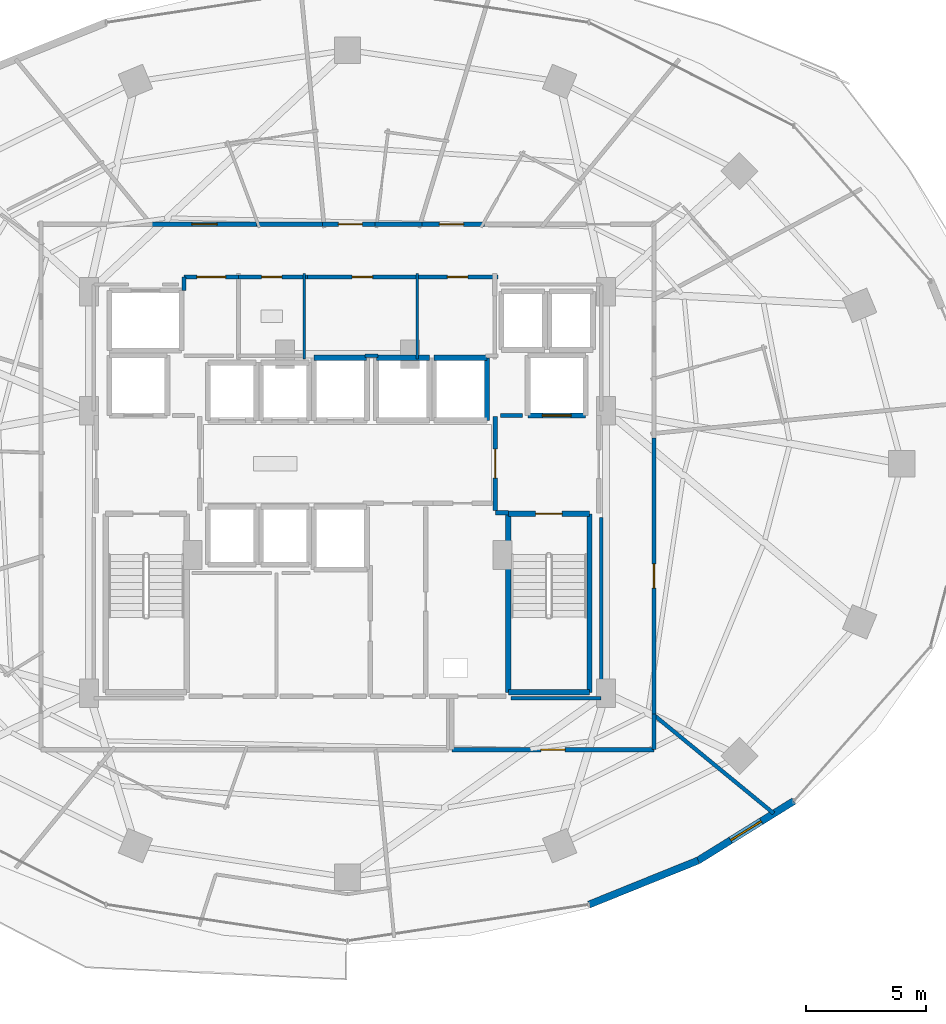
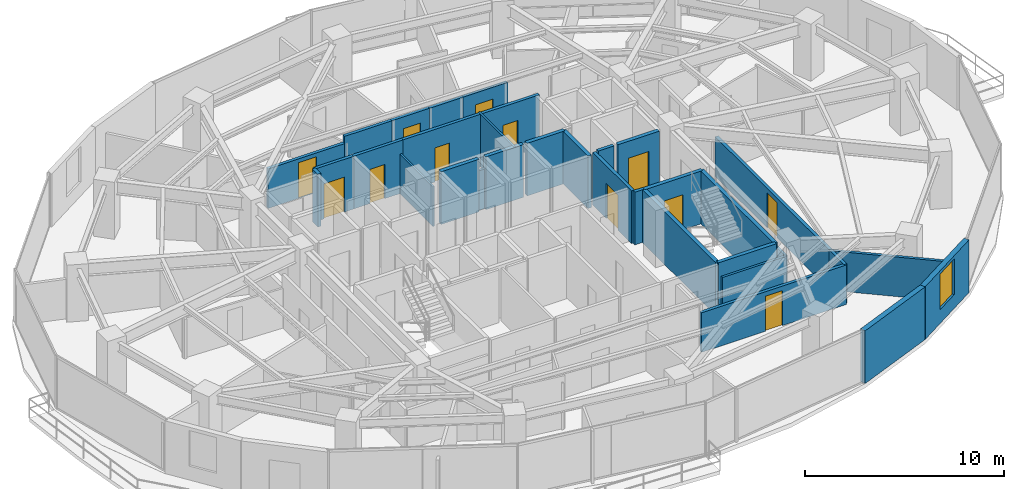
# One storey, part 24 of 29: 33 walls, 12 doors, 1 window, 13 openings.
"""IFC4 building model written with IfcOpenShell, lengths in metres."""

from ifc_helpers import new_model, si_unit, direction, frame, frame_2d, origin, place, context, subcontext, project, spatial, rectangle, extrude, material, layer, layer_set, type_object, element, fill, save


model = new_model("IFC4")

# Units and contexts
model_context = context("Model", 3, precision=1e-05, world=origin(), true_north=direction((0.0, 1.0)))
body_context = subcontext(model_context, "Body", "Model", "MODEL_VIEW")
ifc_project = project(units=[si_unit("LENGTHUNIT", "METRE"), si_unit("AREAUNIT", "SQUARE_METRE"), si_unit("VOLUMEUNIT", "CUBIC_METRE"), si_unit("PLANEANGLEUNIT", "RADIAN"), si_unit("MASSUNIT", "GRAM", prefix="KILO")], contexts=[model_context])

# Site, building, storey
site_placement = place(None, origin())
site = spatial("IfcSite", under=ifc_project, at=site_placement, CompositionType="ELEMENT")
building_placement = place(site_placement, origin())
building = spatial("IfcBuilding", under=site, at=building_placement, Name="Vorneva Point Tower", CompositionType="ELEMENT")
storey_placement = place(building_placement, frame((0.0, 0.0, 117.300048828125)))
storey = spatial("IfcBuildingStorey", under=building, at=storey_placement, Name="L31", CompositionType="ELEMENT", Elevation=117.300048828125)

# Wall, opening, door
ifc_material_1 = material(Name="Concrete B60 (C50/60)", Category="concrete")
ifc_layer_1 = layer(ifc_material_1, 0.5)
ifc_layer_set_1 = layer_set([ifc_layer_1], Name="Concrete B60 (C50/60)")
wall_type_1 = type_object("IfcWallType", Name="WL-CORE-500", PredefinedType="SHEAR", material=ifc_layer_set_1)
wall_1_placement = place(storey_placement, frame((45.5, 28.0, 0.0), z_axis=(0.0, 0.0, 1.0), x_axis=(1.0, 0.0, 0.0)))
wall_1 = element("IfcWall", 1, at=wall_1_placement, inside=storey, type_object=wall_type_1, Name="L31 Lift FFL2 Shaft Wall -Y", PredefinedType="SHEAR", context=body_context, shape_type="SweptSolid", body=[
    extrude(rectangle(XDim=2.39990234375, YDim=0.219970703125, at=frame_2d((1.199951171875, 0.0))), origin(), (0.0, 0.0, 1.0), 3.239990234375),
])
opening_1_placement = place(wall_1_placement, frame((0.60009765625, 0.0, 0.0)))
opening_1 = element("IfcOpeningElement", 2, at=opening_1_placement, cuts=wall_1, Name="Opening LD-02", PredefinedType="OPENING", context=body_context, shape_type="SweptSolid", body=[
    extrude(rectangle(XDim=1.199951171875, YDim=2.199951171875, at=frame_2d((0.60009765625, 1.10009765625))), frame((0.0, 0.125, 0.0), z_axis=(0.0, -1.0, 0.0), x_axis=(1.0, 0.0, 0.0)), (0.0, 0.0, 1.0), 0.249755859375),
])
ifc_material_2 = material(Name="Brushed stainless steel S304", Category="steel")
door_type_1 = type_object("IfcDoorType", Name="LD-FIRE-1200", OperationType="SLIDING_TO_LEFT", PredefinedType="DOOR", material=ifc_material_2)
door_1_placement = place(opening_1_placement, origin())
door_1 = element("IfcDoor", 3, at=door_1_placement, inside=storey, type_object=door_type_1, Name="L31 Lift FFL2 Sliding Landing Door", OperationType="SLIDING_TO_LEFT", OverallHeight=2.199951171875, OverallWidth=1.199951171875, PredefinedType="DOOR", context=body_context, shape_type="SweptSolid", body=[
    extrude(rectangle(XDim=1.199951171875, YDim=2.199951171875, at=frame_2d((0.60009765625, 1.10009765625))), frame((0.0, 0.02490234375, 0.0), z_axis=(0.0, -1.0, 0.0), x_axis=(1.0, 0.0, 0.0)), (0.0, 0.0, 1.0), 0.050048828125),
])
fill(opening_1, door_1)

# Wall
ifc_material_3 = material(Name="Precast concrete B50 (C40/50)", Category="concrete")
ifc_layer_2 = layer(ifc_material_3, 0.300048828125)
ifc_layer_set_2 = layer_set([ifc_layer_2], Name="Precast concrete B50 (C40/50)")
wall_type_2 = type_object("IfcWallType", Name="WL-EXT-300", PredefinedType="STANDARD", material=ifc_layer_set_2)
wall_2_placement = place(storey_placement, frame((48.04541015625, 7.660888671875, 0.0), z_axis=(0.0, 0.0, 1.0), x_axis=(0.927122233109, 0.374759075775, 0.0)))
element("IfcWall", 4, at=wall_2_placement, inside=storey, type_object=wall_type_2, Name="L31 Pale-Metal Facade Spandrel Wall 14.1", PredefinedType="STANDARD", context=body_context, shape_type="SweptSolid", body=[
    extrude(rectangle(XDim=4.89501953125, YDim=0.300048828125, at=frame_2d((2.447509765625, 0.0))), origin(), (0.0, 0.0, 1.0), 3.239990234375),
])

# Wall, opening, window
wall_3_placement = place(storey_placement, frame((52.583740234375, 9.495361328125, 0.0), z_axis=(0.0, 0.0, 1.0), x_axis=(0.849684479743, 0.527291461038, 0.0)))
wall_3 = element("IfcWall", 5, at=wall_3_placement, inside=storey, type_object=wall_type_2, Name="L31 Pale-Metal Facade Spandrel Wall 14.2", PredefinedType="STANDARD", context=body_context, shape_type="SweptSolid", body=[
    extrude(rectangle(XDim=4.681396484375, YDim=0.300048828125, at=frame_2d((2.3408203125, 0.0))), origin(), (0.0, 0.0, 1.0), 3.239990234375),
])
opening_2_placement = place(wall_3_placement, frame((1.5908203125, 0.0, 0.85009765625)))
opening_2 = element("IfcOpeningElement", 6, at=opening_2_placement, cuts=wall_3, Name="Opening W-02", PredefinedType="OPENING", context=body_context, shape_type="SweptSolid", body=[
    extrude(rectangle(XDim=1.5, YDim=2.18994140625, at=frame_2d((0.75, 1.094970703125))), frame((0.0, 0.1650390625, 0.0), z_axis=(0.0, -1.0, 0.0), x_axis=(1.0, 0.0, 0.0)), (0.0, 0.0, 1.0), 0.329833984375),
])
ifc_material_4 = material(Name="Double low-e laminated glass IGU", Category="glass")
window_type = type_object("IfcWindowType", Name="WN-HTL-1500", PartitioningType="SINGLE_PANEL", PredefinedType="WINDOW", material=ifc_material_4)
window_placement = place(opening_2_placement, origin())
window = element("IfcWindow", 7, at=window_placement, inside=storey, type_object=window_type, Name="L31 Facade Window 14", OverallHeight=2.18994140625, OverallWidth=1.5, PartitioningType="SINGLE_PANEL", PredefinedType="WINDOW", context=body_context, shape_type="SweptSolid", body=[
    extrude(rectangle(XDim=1.5, YDim=2.18994140625, at=frame_2d((0.75, 1.094970703125))), frame((0.0, 0.030029296875, 0.0), z_axis=(0.0, -1.0, 0.0), x_axis=(1.0, 0.0, 0.0)), (0.0, 0.0, 1.0), 0.06005859375),
])
fill(opening_2, window)

# Walls
ifc_material_5 = material(Name="Fire-rated acoustic gypsum stud partition", Category="gypsum")
ifc_layer_3 = layer(ifc_material_5, 0.110107421875)
ifc_layer_set_3 = layer_set([ifc_layer_3], Name="Fire-rated acoustic gypsum stud partition")
wall_type_3 = type_object("IfcWallType", Name="WL-PART-110", PredefinedType="PARTITIONING", material=ifc_layer_set_3)
wall_4_placement = place(storey_placement, frame((36.199951171875, 30.340087890625, 0.0), z_axis=(0.0, 0.0, 1.0), x_axis=(0.0, 1.0, 0.0)))
element("IfcWall", 8, at=wall_4_placement, inside=storey, type_object=wall_type_3, Name="L31 Interior Partition 015", PredefinedType="PARTITIONING", context=body_context, shape_type="SweptSolid", body=[
    extrude(rectangle(XDim=3.559814453125, YDim=0.110107421875, at=frame_2d((1.77978515625, 0.0))), origin(), (0.0, 0.0, 1.0), 2.431884765625),
])
wall_5_placement = place(storey_placement, frame((40.89990234375, 30.340087890625, 0.0), z_axis=(0.0, 0.0, 1.0), x_axis=(0.0, 1.0, 0.0)))
element("IfcWall", 9, at=wall_5_placement, inside=storey, type_object=wall_type_3, Name="L31 Interior Partition 017", PredefinedType="PARTITIONING", context=body_context, shape_type="SweptSolid", body=[
    extrude(rectangle(XDim=3.559814453125, YDim=0.110107421875, at=frame_2d((1.77978515625, 0.0))), origin(), (0.0, 0.0, 1.0), 3.239990234375),
])
ifc_layer_4 = layer(ifc_material_5, 0.139892578125)
ifc_layer_set_4 = layer_set([ifc_layer_4], Name="Fire-rated acoustic gypsum stud partition")
wall_type_4 = type_object("IfcWallType", Name="WL-PART-140", PredefinedType="PARTITIONING", material=ifc_layer_set_4)
wall_6_placement = place(storey_placement, frame((38.735107421875, 30.47998046875, 0.0), z_axis=(0.0, 0.0, 1.0), x_axis=(1.0, 0.0, 0.0)))
element("IfcWall", 10, at=wall_6_placement, inside=storey, type_object=wall_type_4, Name="L31 Interior Closure Partition 094", PredefinedType="PARTITIONING", context=body_context, shape_type="SweptSolid", body=[
    extrude(rectangle(XDim=0.52978515625, YDim=0.139892578125, at=frame_2d((0.264892578125, 0.0))), origin(), (0.0, 0.0, 1.0), 2.431884765625),
])
wall_7_placement = place(storey_placement, frame((48.550048828125, 23.75390625, 0.0), z_axis=(0.0, 0.0, 1.0), x_axis=(0.0, -1.0, 0.0)))
element("IfcWall", 11, at=wall_7_placement, inside=storey, type_object=wall_type_4, Name="L31 Interior Closure Partition 101", PredefinedType="PARTITIONING", context=body_context, shape_type="SweptSolid", body=[
    extrude(rectangle(XDim=7.513916015625, YDim=0.139892578125, at=frame_2d((3.7568359375, 0.0))), origin(), (0.0, 0.0, 1.0), 2.431884765625),
])
wall_8_placement = place(storey_placement, frame((48.550048828125, 16.239990234375, 0.0), z_axis=(0.0, 0.0, 1.0), x_axis=(-1.0, 0.0, 0.0)))
element("IfcWall", 12, at=wall_8_placement, inside=storey, type_object=wall_type_4, Name="L31 Interior Closure Partition 102", PredefinedType="PARTITIONING", context=body_context, shape_type="SweptSolid", body=[
    extrude(rectangle(XDim=3.7451171875, YDim=0.139892578125, at=frame_2d((1.87255859375, 0.0))), origin(), (0.0, 0.0, 1.0), 2.431884765625),
])
ifc_layer_5 = layer(ifc_material_5, 0.159912109375)
ifc_layer_set_5 = layer_set([ifc_layer_5], Name="Fire-rated acoustic gypsum stud partition")
wall_type_5 = type_object("IfcWallType", Name="WL-PART-160", PredefinedType="PARTITIONING", material=ifc_layer_set_5)
wall_9_placement = place(storey_placement, frame((55.72802734375, 11.450927734375, 0.0), z_axis=(0.0, 0.0, 1.0), x_axis=(-0.7730409537, 0.634356117573, 0.0)))
element("IfcWall", 13, at=wall_9_placement, inside=storey, type_object=wall_type_5, Name="L31 Interior Partition 089", PredefinedType="PARTITIONING", context=body_context, shape_type="SweptSolid", body=[
    extrude(rectangle(XDim=6.439453125, YDim=0.159912109375, at=frame_2d((3.2197265625, 0.0))), origin(), (0.0, 0.0, 1.0), 2.431884765625),
])

# Wall, opening, door
ifc_material_6 = material(Name="Autoclaved aerated concrete blockwork", Category="masonry")
ifc_layer_6 = layer(ifc_material_6, 0.179931640625)
ifc_layer_set_6 = layer_set([ifc_layer_6], Name="Autoclaved aerated concrete blockwork")
wall_type_6 = type_object("IfcWallType", Name="WL-PART-180", PredefinedType="PARTITIONING", material=ifc_layer_set_6)
wall_10_placement = place(storey_placement, frame((44.14990234375, 27.955078125, 0.0), z_axis=(0.0, 0.0, 1.0), x_axis=(0.0, -1.0, 0.0)))
wall_10 = element("IfcWall", 14, at=wall_10_placement, inside=storey, type_object=wall_type_6, Name="L31 Interior Partition 003", PredefinedType="PARTITIONING", context=body_context, shape_type="SweptSolid", body=[
    extrude(rectangle(XDim=3.91015625, YDim=0.179931640625, at=frame_2d((1.955078125, 0.0))), origin(), (0.0, 0.0, 1.0), 3.239990234375),
])
opening_3_placement = place(wall_10_placement, frame((1.35498046875, 0.0, 0.0)))
opening_3 = element("IfcOpeningElement", 15, at=opening_3_placement, cuts=wall_10, Name="Opening FD-02", PredefinedType="OPENING", context=body_context, shape_type="SweptSolid", body=[
    extrude(rectangle(XDim=1.199951171875, YDim=2.14990234375, at=frame_2d((0.60009765625, 1.074951171875))), frame((0.0, 0.10498046875, 0.0), z_axis=(0.0, -1.0, 0.0), x_axis=(1.0, 0.0, 0.0)), (0.0, 0.0, 1.0), 0.209716796875),
])
ifc_material_7 = material(Name="Fire-rated powder-coated steel", Category="steel")
door_type_2 = type_object("IfcDoorType", Name="DR-FFL-1200", OperationType="NOTDEFINED", PredefinedType="DOOR", material=ifc_material_7)
door_2_placement = place(opening_3_placement, origin())
door_2 = element("IfcDoor", 16, at=door_2_placement, inside=storey, type_object=door_type_2, Name="L31 Door East Firefighting Lobby / Central Lift Lobby", OperationType="SINGLE_SWING_RIGHT", OverallHeight=2.14990234375, OverallWidth=1.199951171875, PredefinedType="DOOR", context=body_context, shape_type="SweptSolid", body=[
    extrude(rectangle(XDim=1.199951171875, YDim=2.14990234375, at=frame_2d((0.60009765625, 1.074951171875))), frame((0.0, 0.02490234375, 0.0), z_axis=(0.0, -1.0, 0.0), x_axis=(1.0, 0.0, 0.0)), (0.0, 0.0, 1.0), 0.050048828125),
])
fill(opening_3, door_2)

# Wall
wall_11_placement = place(storey_placement, frame((44.14990234375, 23.949951171875, 0.0), z_axis=(0.0, 0.0, 1.0), x_axis=(1.0, 0.0, 0.0)))
element("IfcWall", 17, at=wall_11_placement, inside=storey, type_object=wall_type_6, Name="L31 Interior Partition 004", PredefinedType="PARTITIONING", context=body_context, shape_type="SweptSolid", body=[
    extrude(rectangle(XDim=0.5400390625, YDim=0.179931640625, at=frame_2d((0.27001953125, 0.0))), origin(), (0.0, 0.0, 1.0), 3.239990234375),
])

# Wall, opening, door
wall_12_placement = place(storey_placement, frame((33.469970703125, 33.760009765625, 0.0), z_axis=(0.0, 0.0, 1.0), x_axis=(-1.0, 0.0, 0.0)))
wall_12 = element("IfcWall", 18, at=wall_12_placement, inside=storey, type_object=wall_type_6, Name="L31 Interior Partition 007", PredefinedType="PARTITIONING", context=body_context, shape_type="SweptSolid", body=[
    extrude(rectangle(XDim=2.27001953125, YDim=0.179931640625, at=frame_2d((1.135009765625, 0.0))), origin(), (0.0, 0.0, 1.0), 3.239990234375),
])
opening_4_placement = place(wall_12_placement, frame((0.534912109375, 0.0, 0.0)))
opening_4 = element("IfcOpeningElement", 19, at=opening_4_placement, cuts=wall_12, Name="Opening FD-02", PredefinedType="OPENING", context=body_context, shape_type="SweptSolid", body=[
    extrude(rectangle(XDim=1.199951171875, YDim=2.14990234375, at=frame_2d((0.60009765625, 1.074951171875))), frame((0.0, 0.10498046875, 0.0), z_axis=(0.0, -1.0, 0.0), x_axis=(1.0, 0.0, 0.0)), (0.0, 0.0, 1.0), 0.209716796875),
])
door_3_placement = place(opening_4_placement, origin())
door_3 = element("IfcDoor", 20, at=door_3_placement, inside=storey, type_object=door_type_2, Name="L31 Door Service Lift Lobby / L31 Circulation Corridor", OperationType="SINGLE_SWING_RIGHT", OverallHeight=2.14990234375, OverallWidth=1.199951171875, PredefinedType="DOOR", context=body_context, shape_type="SweptSolid", body=[
    extrude(rectangle(XDim=1.199951171875, YDim=2.14990234375, at=frame_2d((0.60009765625, 1.074951171875))), frame((0.0, 0.02490234375, 0.0), z_axis=(0.0, -1.0, 0.0), x_axis=(1.0, 0.0, 0.0)), (0.0, 0.0, 1.0), 0.050048828125),
])
fill(opening_4, door_3)

# Wall
wall_13_placement = place(storey_placement, frame((31.199951171875, 33.760009765625, 0.0), z_axis=(0.0, 0.0, 1.0), x_axis=(0.0, -1.0, 0.0)))
element("IfcWall", 21, at=wall_13_placement, inside=storey, type_object=wall_type_6, Name="L31 Interior Partition 008", PredefinedType="PARTITIONING", context=body_context, shape_type="SweptSolid", body=[
    extrude(rectangle(XDim=0.56005859375, YDim=0.179931640625, at=frame_2d((0.280029296875, 0.0))), origin(), (0.0, 0.0, 1.0), 3.239990234375),
])

# Wall, opening, door
wall_14_placement = place(storey_placement, frame((36.340087890625, 33.760009765625, 0.0), z_axis=(0.0, 0.0, 1.0), x_axis=(-1.0, 0.0, 0.0)))
wall_14 = element("IfcWall", 22, at=wall_14_placement, inside=storey, type_object=wall_type_6, Name="L31 Interior Partition 016", PredefinedType="PARTITIONING", context=body_context, shape_type="SweptSolid", body=[
    extrude(rectangle(XDim=2.97998046875, YDim=0.179931640625, at=frame_2d((1.489990234375, 0.0))), origin(), (0.0, 0.0, 1.0), 3.239990234375),
])
opening_5_placement = place(wall_14_placement, frame((1.06494140625, 0.0, 0.0)))
opening_5 = element("IfcOpeningElement", 23, at=opening_5_placement, cuts=wall_14, Name="Opening ID-02", PredefinedType="OPENING", context=body_context, shape_type="SweptSolid", body=[
    extrude(rectangle(XDim=0.85009765625, YDim=2.10009765625, at=frame_2d((0.425048828125, 1.050048828125))), frame((0.0, 0.10498046875, 0.0), z_axis=(0.0, -1.0, 0.0), x_axis=(1.0, 0.0, 0.0)), (0.0, 0.0, 1.0), 0.209716796875),
])
ifc_material_8 = material(Name="Engineered oak fire-rated door leaf", Category="wood")
door_type_3 = type_object("IfcDoorType", Name="DR-BATH-850", OperationType="NOTDEFINED", PredefinedType="DOOR", material=ifc_material_8)
door_4_placement = place(opening_5_placement, origin())
door_4 = element("IfcDoor", 24, at=door_4_placement, inside=storey, type_object=door_type_3, Name="L31 Door Public Male WC / L31 Circulation Corridor", OperationType="SINGLE_SWING_LEFT", OverallHeight=2.10009765625, OverallWidth=0.85009765625, PredefinedType="DOOR", context=body_context, shape_type="SweptSolid", body=[
    extrude(rectangle(XDim=0.85009765625, YDim=2.10009765625, at=frame_2d((0.425048828125, 1.050048828125))), frame((0.0, 0.02490234375, 0.0), z_axis=(0.0, -1.0, 0.0), x_axis=(1.0, 0.0, 0.0)), (0.0, 0.0, 1.0), 0.050048828125),
])
fill(opening_5, door_4)

wall_15_placement = place(storey_placement, frame((41.0400390625, 33.760009765625, 0.0), z_axis=(0.0, 0.0, 1.0), x_axis=(-1.0, 0.0, 0.0)))
wall_15 = element("IfcWall", 25, at=wall_15_placement, inside=storey, type_object=wall_type_6, Name="L31 Interior Partition 018", PredefinedType="PARTITIONING", context=body_context, shape_type="SweptSolid", body=[
    extrude(rectangle(XDim=4.840087890625, YDim=0.179931640625, at=frame_2d((2.419921875, 0.0))), origin(), (0.0, 0.0, 1.0), 3.239990234375),
])
opening_6_placement = place(wall_15_placement, frame((1.9951171875, 0.0, 0.0)))
opening_6 = element("IfcOpeningElement", 26, at=opening_6_placement, cuts=wall_15, Name="Opening ID-02", PredefinedType="OPENING", context=body_context, shape_type="SweptSolid", body=[
    extrude(rectangle(XDim=0.85009765625, YDim=2.10009765625, at=frame_2d((0.425048828125, 1.050048828125))), frame((0.0, 0.10498046875, 0.0), z_axis=(0.0, -1.0, 0.0), x_axis=(1.0, 0.0, 0.0)), (0.0, 0.0, 1.0), 0.209716796875),
])
door_5_placement = place(opening_6_placement, origin())
door_5 = element("IfcDoor", 27, at=door_5_placement, inside=storey, type_object=door_type_3, Name="L31 Door Public Female WC / L31 Circulation Corridor", OperationType="SINGLE_SWING_RIGHT", OverallHeight=2.10009765625, OverallWidth=0.85009765625, PredefinedType="DOOR", context=body_context, shape_type="SweptSolid", body=[
    extrude(rectangle(XDim=0.85009765625, YDim=2.10009765625, at=frame_2d((0.425048828125, 1.050048828125))), frame((0.0, 0.02490234375, 0.0), z_axis=(0.0, -1.0, 0.0), x_axis=(1.0, 0.0, 0.0)), (0.0, 0.0, 1.0), 0.050048828125),
])
fill(opening_6, door_5)

wall_16_placement = place(storey_placement, frame((44.260009765625, 33.760009765625, 0.0), z_axis=(0.0, 0.0, 1.0), x_axis=(-1.0, 0.0, 0.0)))
wall_16 = element("IfcWall", 28, at=wall_16_placement, inside=storey, type_object=wall_type_6, Name="L31 Interior Partition 019", PredefinedType="PARTITIONING", context=body_context, shape_type="SweptSolid", body=[
    extrude(rectangle(XDim=3.360107421875, YDim=0.179931640625, at=frame_2d((1.68017578125, 0.0))), origin(), (0.0, 0.0, 1.0), 3.239990234375),
])
opening_7_placement = place(wall_16_placement, frame((1.2548828125, 0.0, 0.0)))
opening_7 = element("IfcOpeningElement", 29, at=opening_7_placement, cuts=wall_16, Name="Opening ID-02", PredefinedType="OPENING", context=body_context, shape_type="SweptSolid", body=[
    extrude(rectangle(XDim=0.85009765625, YDim=2.10009765625, at=frame_2d((0.425048828125, 1.050048828125))), frame((0.0, 0.10498046875, 0.0), z_axis=(0.0, -1.0, 0.0), x_axis=(1.0, 0.0, 0.0)), (0.0, 0.0, 1.0), 0.209716796875),
])
door_6_placement = place(opening_7_placement, origin())
door_6 = element("IfcDoor", 30, at=door_6_placement, inside=storey, type_object=door_type_3, Name="L31 Door Accessible WC / L31 Circulation Corridor", OperationType="SINGLE_SWING_LEFT", OverallHeight=2.10009765625, OverallWidth=0.85009765625, PredefinedType="DOOR", context=body_context, shape_type="SweptSolid", body=[
    extrude(rectangle(XDim=0.85009765625, YDim=2.10009765625, at=frame_2d((0.425048828125, 1.050048828125))), frame((0.0, 0.02490234375, 0.0), z_axis=(0.0, -1.0, 0.0), x_axis=(1.0, 0.0, 0.0)), (0.0, 0.0, 1.0), 0.050048828125),
])
fill(opening_7, door_6)

wall_17_placement = place(storey_placement, frame((43.693115234375, 35.949951171875, 0.0), z_axis=(0.0, 0.0, 1.0), x_axis=(-1.0, 0.0, 0.0)))
wall_17 = element("IfcWall", 31, at=wall_17_placement, inside=storey, type_object=wall_type_6, Name="L31 Interior Partition 028", PredefinedType="PARTITIONING", context=body_context, shape_type="SweptSolid", body=[
    extrude(rectangle(XDim=2.735107421875, YDim=0.179931640625, at=frame_2d((1.36767578125, 0.0))), origin(), (0.0, 0.0, 1.0), 2.8740234375),
])
opening_8_placement = place(wall_17_placement, frame((0.867431640625, 0.0, 0.0)))
opening_8 = element("IfcOpeningElement", 32, at=opening_8_placement, cuts=wall_17, Name="Opening UD-01", PredefinedType="OPENING", context=body_context, shape_type="SweptSolid", body=[
    extrude(rectangle(XDim=1.0, YDim=2.14990234375, at=frame_2d((0.5, 1.074951171875))), frame((0.0, 0.10498046875, 0.0), z_axis=(0.0, -1.0, 0.0), x_axis=(1.0, 0.0, 0.0)), (0.0, 0.0, 1.0), 0.209716796875),
])
door_type_4 = type_object("IfcDoorType", Name="DR-UNIT-1000", OperationType="NOTDEFINED", PredefinedType="DOOR", material=ifc_material_8)
door_7_placement = place(opening_8_placement, origin())
door_7 = element("IfcDoor", 33, at=door_7_placement, inside=storey, type_object=door_type_4, Name="L31 Door L31 Circulation Corridor / Twin Guest Room L31-03", OperationType="SINGLE_SWING_RIGHT", OverallHeight=2.14990234375, OverallWidth=1.0, PredefinedType="DOOR", context=body_context, shape_type="SweptSolid", body=[
    extrude(rectangle(XDim=1.0, YDim=2.14990234375, at=frame_2d((0.5, 1.074951171875))), frame((0.0, 0.02490234375, 0.0), z_axis=(0.0, -1.0, 0.0), x_axis=(1.0, 0.0, 0.0)), (0.0, 0.0, 1.0), 0.050048828125),
])
fill(opening_8, door_7)

wall_18_placement = place(storey_placement, frame((39.277099609375, 35.949951171875, 0.0), z_axis=(0.0, 0.0, 1.0), x_axis=(-1.0, 0.0, 0.0)))
wall_18 = element("IfcWall", 34, at=wall_18_placement, inside=storey, type_object=wall_type_6, Name="L31 Interior Partition 030", PredefinedType="PARTITIONING", context=body_context, shape_type="SweptSolid", body=[
    extrude(rectangle(XDim=2.317138671875, YDim=0.179931640625, at=frame_2d((1.15869140625, 0.0))), origin(), (0.0, 0.0, 1.0), 2.8740234375),
])
opening_9_placement = place(wall_18_placement, frame((0.658447265625, 0.0, 0.0)))
opening_9 = element("IfcOpeningElement", 35, at=opening_9_placement, cuts=wall_18, Name="Opening UD-01", PredefinedType="OPENING", context=body_context, shape_type="SweptSolid", body=[
    extrude(rectangle(XDim=1.0, YDim=2.14990234375, at=frame_2d((0.5, 1.074951171875))), frame((0.0, 0.10498046875, 0.0), z_axis=(0.0, -1.0, 0.0), x_axis=(1.0, 0.0, 0.0)), (0.0, 0.0, 1.0), 0.209716796875),
])
door_8_placement = place(opening_9_placement, origin())
door_8 = element("IfcDoor", 36, at=door_8_placement, inside=storey, type_object=door_type_4, Name="L31 Door L31 Circulation Corridor / Deluxe Guest Room L31-04", OperationType="SINGLE_SWING_LEFT", OverallHeight=2.14990234375, OverallWidth=1.0, PredefinedType="DOOR", context=body_context, shape_type="SweptSolid", body=[
    extrude(rectangle(XDim=1.0, YDim=2.14990234375, at=frame_2d((0.5, 1.074951171875))), frame((0.0, 0.02490234375, 0.0), z_axis=(0.0, -1.0, 0.0), x_axis=(1.0, 0.0, 0.0)), (0.0, 0.0, 1.0), 0.050048828125),
])
fill(opening_9, door_8)

# Wall
wall_19_placement = place(storey_placement, frame((41.097900390625, 35.949951171875, 0.0), z_axis=(0.0, 0.0, 1.0), x_axis=(-1.0, 0.0, 0.0)))
element("IfcWall", 37, at=wall_19_placement, inside=storey, type_object=wall_type_6, Name="L31 Interior Partition 031", PredefinedType="PARTITIONING", context=body_context, shape_type="SweptSolid", body=[
    extrude(rectangle(XDim=1.9609375, YDim=0.179931640625, at=frame_2d((0.98046875, 0.0))), origin(), (0.0, 0.0, 1.0), 2.8740234375),
])

# Wall, opening, door
wall_20_placement = place(storey_placement, frame((34.344970703125, 35.949951171875, 0.0), z_axis=(0.0, 0.0, 1.0), x_axis=(-1.0, 0.0, 0.0)))
wall_20 = element("IfcWall", 38, at=wall_20_placement, inside=storey, type_object=wall_type_6, Name="L31 Interior Partition 032", PredefinedType="PARTITIONING", context=body_context, shape_type="SweptSolid", body=[
    extrude(rectangle(XDim=4.5888671875, YDim=0.179931640625, at=frame_2d((2.29443359375, 0.0))), origin(), (0.0, 0.0, 1.0), 2.431884765625),
])
opening_10_placement = place(wall_20_placement, frame((1.76953125, 0.0, 0.0)))
opening_10 = element("IfcOpeningElement", 39, at=opening_10_placement, cuts=wall_20, Name="Opening UD-02", PredefinedType="OPENING", context=body_context, shape_type="SweptSolid", body=[
    extrude(rectangle(XDim=1.050048828125, YDim=2.199951171875, at=frame_2d((0.52490234375, 1.10009765625))), frame((0.0, 0.10498046875, 0.0), z_axis=(0.0, -1.0, 0.0), x_axis=(1.0, 0.0, 0.0)), (0.0, 0.0, 1.0), 0.209716796875),
])
door_type_5 = type_object("IfcDoorType", Name="DR-SUITE-1050", OperationType="NOTDEFINED", PredefinedType="DOOR", material=ifc_material_8)
door_9_placement = place(opening_10_placement, origin())
door_9 = element("IfcDoor", 40, at=door_9_placement, inside=storey, type_object=door_type_5, Name="L31 Door L31 Circulation Corridor / Executive Suite L31-05", OperationType="SINGLE_SWING_RIGHT", OverallHeight=2.199951171875, OverallWidth=1.050048828125, PredefinedType="DOOR", context=body_context, shape_type="SweptSolid", body=[
    extrude(rectangle(XDim=1.050048828125, YDim=2.199951171875, at=frame_2d((0.52490234375, 1.10009765625))), frame((0.0, 0.02490234375, 0.0), z_axis=(0.0, -1.0, 0.0), x_axis=(1.0, 0.0, 0.0)), (0.0, 0.0, 1.0), 0.050048828125),
])
fill(opening_10, door_9)

# Wall
wall_21_placement = place(storey_placement, frame((37.10009765625, 35.949951171875, 0.0), z_axis=(0.0, 0.0, 1.0), x_axis=(-1.0, 0.0, 0.0)))
element("IfcWall", 41, at=wall_21_placement, inside=storey, type_object=wall_type_6, Name="L31 Interior Partition 033", PredefinedType="PARTITIONING", context=body_context, shape_type="SweptSolid", body=[
    extrude(rectangle(XDim=2.89501953125, YDim=0.179931640625, at=frame_2d((1.447509765625, 0.0))), origin(), (0.0, 0.0, 1.0), 2.8740234375),
])

# Wall, opening, door
wall_22_placement = place(storey_placement, frame((42.340087890625, 14.10009765625, 0.0), z_axis=(0.0, 0.0, 1.0), x_axis=(1.0, 0.0, 0.0)))
wall_22 = element("IfcWall", 42, at=wall_22_placement, inside=storey, type_object=wall_type_6, Name="L31 Interior Partition 045", PredefinedType="PARTITIONING", context=body_context, shape_type="SweptSolid", body=[
    extrude(rectangle(XDim=8.409912109375, YDim=0.179931640625, at=frame_2d((4.205078125, 0.0))), origin(), (0.0, 0.0, 1.0), 2.431884765625),
])
opening_11_placement = place(wall_22_placement, frame((3.705078125, 0.0, 0.0)))
opening_11 = element("IfcOpeningElement", 43, at=opening_11_placement, cuts=wall_22, Name="Opening UD-01", PredefinedType="OPENING", context=body_context, shape_type="SweptSolid", body=[
    extrude(rectangle(XDim=1.0, YDim=2.14990234375, at=frame_2d((0.5, 1.074951171875))), frame((0.0, 0.10498046875, 0.0), z_axis=(0.0, -1.0, 0.0), x_axis=(1.0, 0.0, 0.0)), (0.0, 0.0, 1.0), 0.209716796875),
])
door_10_placement = place(opening_11_placement, origin())
door_10 = element("IfcDoor", 44, at=door_10_placement, inside=storey, type_object=door_type_4, Name="L31 Door L31 Circulation Corridor / Executive Meeting Room L31-10", OperationType="SINGLE_SWING_LEFT", OverallHeight=2.14990234375, OverallWidth=1.0, PredefinedType="DOOR", context=body_context, shape_type="SweptSolid", body=[
    extrude(rectangle(XDim=1.0, YDim=2.14990234375, at=frame_2d((0.5, 1.074951171875))), frame((0.0, 0.02490234375, 0.0), z_axis=(0.0, -1.0, 0.0), x_axis=(1.0, 0.0, 0.0)), (0.0, 0.0, 1.0), 0.050048828125),
])
fill(opening_11, door_10)

# Wall
wall_23_placement = place(storey_placement, frame((50.75, 14.10009765625, 0.0), z_axis=(0.0, 0.0, 1.0), x_axis=(0.0, 1.0, 0.0)))
element("IfcWall", 45, at=wall_23_placement, inside=storey, type_object=wall_type_6, Name="L31 Interior Partition 046", PredefinedType="PARTITIONING", context=body_context, shape_type="SweptSolid", body=[
    extrude(rectangle(XDim=1.495849609375, YDim=0.179931640625, at=frame_2d((0.748046875, 0.0))), origin(), (0.0, 0.0, 1.0), 2.431884765625),
])

# Wall, opening, door
wall_24_placement = place(storey_placement, frame((50.75, 15.595947265625, 0.0), z_axis=(0.0, 0.0, 1.0), x_axis=(0.0, 1.0, 0.0)))
wall_24 = element("IfcWall", 46, at=wall_24_placement, inside=storey, type_object=wall_type_6, Name="L31 Interior Partition 049", PredefinedType="PARTITIONING", context=body_context, shape_type="SweptSolid", body=[
    extrude(rectangle(XDim=11.4599609375, YDim=0.179931640625, at=frame_2d((5.72998046875, 0.0))), origin(), (0.0, 0.0, 1.0), 2.431884765625),
])
opening_12_placement = place(wall_24_placement, frame((5.22998046875, 0.0, 0.0)))
opening_12 = element("IfcOpeningElement", 47, at=opening_12_placement, cuts=wall_24, Name="Opening UD-01", PredefinedType="OPENING", context=body_context, shape_type="SweptSolid", body=[
    extrude(rectangle(XDim=1.0, YDim=2.14990234375, at=frame_2d((0.5, 1.074951171875))), frame((0.0, 0.10498046875, 0.0), z_axis=(0.0, -1.0, 0.0), x_axis=(1.0, 0.0, 0.0)), (0.0, 0.0, 1.0), 0.209716796875),
])
door_11_placement = place(opening_12_placement, origin())
door_11 = element("IfcDoor", 48, at=door_11_placement, inside=storey, type_object=door_type_4, Name="L31 Door L31 Circulation Corridor / Hotel Club Lounge L31-11", OperationType="SINGLE_SWING_RIGHT", OverallHeight=2.14990234375, OverallWidth=1.0, PredefinedType="DOOR", context=body_context, shape_type="SweptSolid", body=[
    extrude(rectangle(XDim=1.0, YDim=2.14990234375, at=frame_2d((0.5, 1.074951171875))), frame((0.0, 0.02490234375, 0.0), z_axis=(0.0, -1.0, 0.0), x_axis=(1.0, 0.0, 0.0)), (0.0, 0.0, 1.0), 0.050048828125),
])
fill(opening_12, door_11)

# Wall
wall_25_placement = place(storey_placement, frame((45.280029296875, 28.0, 0.0), z_axis=(0.0, 0.0, 1.0), x_axis=(-1.0, 0.0, 0.0)))
element("IfcWall", 49, at=wall_25_placement, inside=storey, type_object=wall_type_6, Name="L31 Interior Closure Partition 091", PredefinedType="PARTITIONING", context=body_context, shape_type="SweptSolid", body=[
    extrude(rectangle(XDim=0.9150390625, YDim=0.179931640625, at=frame_2d((0.45751953125, 0.0))), origin(), (0.0, 0.0, 1.0), 3.239990234375),
])

# Wall, opening, door
ifc_material_9 = material(Name="Concrete B50 (C40/50)", Category="concrete")
ifc_layer_7 = layer(ifc_material_9, 0.219970703125)
ifc_layer_set_7 = layer_set([ifc_layer_7], Name="Concrete B50 (C40/50)")
wall_type_7 = type_object("IfcWallType", Name="WL-SHFT-220", PredefinedType="SOLIDWALL", material=ifc_layer_set_7)
wall_26_placement = place(storey_placement, frame((44.68994140625, 23.909912109375, 0.0), z_axis=(0.0, 0.0, 1.0), x_axis=(1.0, 0.0, 0.0)))
wall_26 = element("IfcWall", 50, at=wall_26_placement, inside=storey, type_object=wall_type_7, Name="L31 Exit Stair ST2 Shaft Wall near", PredefinedType="SOLIDWALL", context=body_context, shape_type="SweptSolid", body=[
    extrude(rectangle(XDim=3.3701171875, YDim=0.219970703125, at=frame_2d((1.68505859375, 0.0))), origin(), (0.0, 0.0, 1.0), 3.239990234375),
])
opening_13_placement = place(wall_26_placement, frame((1.135009765625, 0.0, 0.0)))
opening_13 = element("IfcOpeningElement", 51, at=opening_13_placement, cuts=wall_26, Name="Opening FD-01", PredefinedType="OPENING", context=body_context, shape_type="SweptSolid", body=[
    extrude(rectangle(XDim=1.10009765625, YDim=2.14990234375, at=frame_2d((0.550048828125, 1.074951171875))), frame((0.0, 0.125, 0.0), z_axis=(0.0, -1.0, 0.0), x_axis=(1.0, 0.0, 0.0)), (0.0, 0.0, 1.0), 0.249755859375),
])
door_type_6 = type_object("IfcDoorType", Name="DR-STAIR-1100", OperationType="NOTDEFINED", PredefinedType="DOOR", material=ifc_material_7)
door_12_placement = place(opening_13_placement, origin())
door_12 = element("IfcDoor", 52, at=door_12_placement, inside=storey, type_object=door_type_6, Name="L31 Exit Stair ST2 Fire Door", OperationType="SINGLE_SWING_RIGHT", OverallHeight=2.14990234375, OverallWidth=1.10009765625, PredefinedType="DOOR", context=body_context, shape_type="SweptSolid", body=[
    extrude(rectangle(XDim=1.10009765625, YDim=2.14990234375, at=frame_2d((0.550048828125, 1.074951171875))), frame((0.0, 0.02490234375, 0.0), z_axis=(0.0, -1.0, 0.0), x_axis=(1.0, 0.0, 0.0)), (0.0, 0.0, 1.0), 0.050048828125),
])
fill(opening_13, door_12)

# Walls
wall_27_placement = place(storey_placement, frame((48.06005859375, 23.909912109375, 0.0), z_axis=(0.0, 0.0, 1.0), x_axis=(0.0, -1.0, 0.0)))
element("IfcWall", 53, at=wall_27_placement, inside=storey, type_object=wall_type_7, Name="L31 Exit Stair ST2 Shaft Wall right", PredefinedType="SOLIDWALL", context=body_context, shape_type="SweptSolid", body=[
    extrude(rectangle(XDim=7.419921875, YDim=0.219970703125, at=frame_2d((3.7099609375, 0.0))), origin(), (0.0, 0.0, 1.0), 3.239990234375),
])
wall_28_placement = place(storey_placement, frame((48.06005859375, 16.489990234375, 0.0), z_axis=(0.0, 0.0, 1.0), x_axis=(-1.0, 0.0, 0.0)))
element("IfcWall", 54, at=wall_28_placement, inside=storey, type_object=wall_type_7, Name="L31 Exit Stair ST2 Shaft Wall far", PredefinedType="SOLIDWALL", context=body_context, shape_type="SweptSolid", body=[
    extrude(rectangle(XDim=3.3701171875, YDim=0.219970703125, at=frame_2d((1.68505859375, 0.0))), origin(), (0.0, 0.0, 1.0), 3.239990234375),
])
wall_29_placement = place(storey_placement, frame((44.68994140625, 16.489990234375, 0.0), z_axis=(0.0, 0.0, 1.0), x_axis=(0.0, 1.0, 0.0)))
element("IfcWall", 55, at=wall_29_placement, inside=storey, type_object=wall_type_7, Name="L31 Exit Stair ST2 Shaft Wall left", PredefinedType="SOLIDWALL", context=body_context, shape_type="SweptSolid", body=[
    extrude(rectangle(XDim=7.419921875, YDim=0.219970703125, at=frame_2d((3.7099609375, 0.0))), origin(), (0.0, 0.0, 1.0), 3.239990234375),
])
for number, where, z_axis, x_axis, name in (
    (56, (38.800048828125, 30.39990234375, 0.0), (0.0, 0.0, 1.0), (-1.0, 0.0, 0.0), "L31 Lift PL3 Shaft Wall +Y"),
    (57, (41.39990234375, 30.39990234375, 0.0), (0.0, 0.0, 1.0), (-1.0, 0.0, 0.0), "L31 Lift PL7 Shaft Wall +Y"),
):
    element("IfcWall", number, at=place(storey_placement, frame(where, z_axis=z_axis, x_axis=x_axis)), inside=storey, type_object=wall_type_7, Name=name, PredefinedType="SOLIDWALL", context=body_context, shape_type="SweptSolid", body=[
        extrude(rectangle(XDim=2.199951171875, YDim=0.219970703125, at=frame_2d((1.10009765625, 0.0))), origin(), (0.0, 0.0, 1.0), 3.239990234375),
    ])
wall_30_placement = place(storey_placement, frame((43.800048828125, 27.800048828125, 0.0), z_axis=(0.0, 0.0, 1.0), x_axis=(0.0, 1.0, 0.0)))
element("IfcWall", 58, at=wall_30_placement, inside=storey, type_object=wall_type_7, Name="L31 Lift PL8 Shaft Wall +X", PredefinedType="SOLIDWALL", context=body_context, shape_type="SweptSolid", body=[
    extrude(rectangle(XDim=2.599853515625, YDim=0.219970703125, at=frame_2d((1.2998046875, 0.0))), origin(), (0.0, 0.0, 1.0), 3.239990234375),
])
wall_31_placement = place(storey_placement, frame((43.800048828125, 30.39990234375, 0.0), z_axis=(0.0, 0.0, 1.0), x_axis=(-1.0, 0.0, 0.0)))
element("IfcWall", 59, at=wall_31_placement, inside=storey, type_object=wall_type_7, Name="L31 Lift PL8 Shaft Wall +Y", PredefinedType="SOLIDWALL", context=body_context, shape_type="SweptSolid", body=[
    extrude(rectangle(XDim=2.199951171875, YDim=0.219970703125, at=frame_2d((1.10009765625, 0.0))), origin(), (0.0, 0.0, 1.0), 3.239990234375),
])

save(model, "model.ifc")
